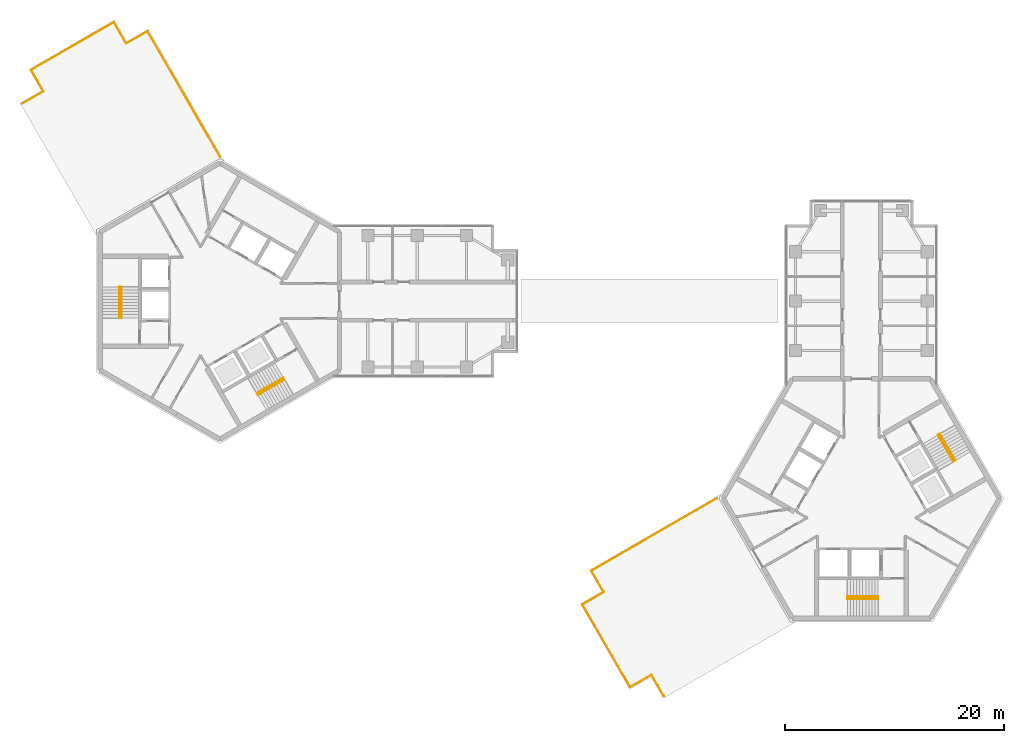
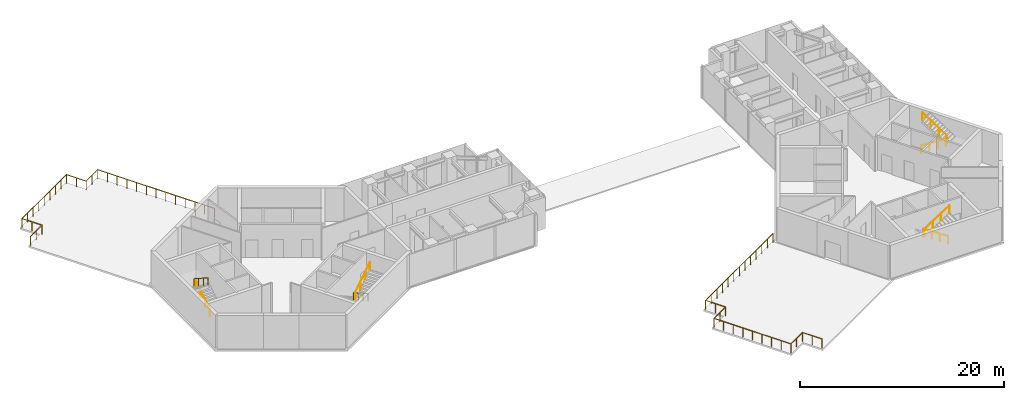
# One storey, part 10 of 11: 10 railings.
"""IFC4 building model written with IfcOpenShell, lengths in metres."""

from ifc_helpers import new_model, si_unit, direction, frame, origin, origin_2d, place, context, subcontext, project, spatial, circle, extrude, material, type_object, element, save


model = new_model("IFC4")

# Units and contexts
model_context = context("Model", 3, precision=1e-05, world=origin(), true_north=direction((0.0, 1.0)))
body_context = subcontext(model_context, "Body", "Model", "MODEL_VIEW")
ifc_project = project(units=[si_unit("LENGTHUNIT", "METRE"), si_unit("AREAUNIT", "SQUARE_METRE"), si_unit("VOLUMEUNIT", "CUBIC_METRE"), si_unit("PLANEANGLEUNIT", "RADIAN"), si_unit("MASSUNIT", "GRAM", prefix="KILO")], contexts=[model_context])

# Site, building, storey
site_placement = place(None, origin())
site = spatial("IfcSite", under=ifc_project, at=site_placement, CompositionType="ELEMENT")
building_placement = place(site_placement, origin())
building = spatial("IfcBuilding", under=site, at=building_placement, Name="Upepo Twin Towers", CompositionType="ELEMENT")
storey_placement = place(building_placement, frame((0.0, 0.0, 243.5)))
storey = spatial("IfcBuildingStorey", under=building, at=storey_placement, Name="L59", CompositionType="ELEMENT", Elevation=243.5)

# Railings
ifc_material_1 = material(Name="Stainless steel", Category="steel")
railing_type_1 = type_object("IfcRailingType", Name="Stair handrail 900", PredefinedType="HANDRAIL", material=ifc_material_1)
railing_1_placement = place(storey_placement, frame((-8.949951171875, -1.52001953125, 0.181884765625)))
element("IfcRailing", 1, at=railing_1_placement, inside=storey, type_object=railing_type_1, Name="T1 stair S1 L59 handrail 1", PredefinedType="HANDRAIL", context=body_context, shape_type="SweptSolid", body=[
    extrude(circle(Radius=0.02392578125, at=origin_2d()), frame((0.0, 0.0, 0.8759765625), z_axis=(0.0, 0.838705829183, 0.544584733623), x_axis=(-1.0, 0.0, 0.0)), (0.0, 0.0, 1.0), 3.338623046875),
    extrude(circle(Radius=0.02099609375, at=origin_2d()), origin(), (0.0, 0.0, 1.0), 0.851806640625),
    extrude(circle(Radius=0.02099609375, at=origin_2d()), frame((0.0, 0.933349609375, 0.60595703125)), (0.0, 0.0, 1.0), 0.851806640625),
    extrude(circle(Radius=0.02099609375, at=origin_2d()), frame((0.0, 1.86669921875, 1.212158203125)), (0.0, 0.0, 1.0), 0.851806640625),
    extrude(circle(Radius=0.02099609375, at=origin_2d()), frame((0.0, 2.800048828125, 1.818115234375)), (0.0, 0.0, 1.0), 0.851806640625),
])
railing_2_placement = place(storey_placement, frame((-9.158447265625, 1.280029296875, 2.181884765625)))
element("IfcRailing", 2, at=railing_2_placement, inside=storey, type_object=railing_type_1, Name="T1 stair S1 L59 handrail 2", PredefinedType="HANDRAIL", context=body_context, shape_type="SweptSolid", body=[
    extrude(circle(Radius=0.02392578125, at=origin_2d()), frame((0.0, 0.0, 0.8759765625), z_axis=(0.0, -0.838705829183, 0.544584733623), x_axis=(1.0, 0.0, 0.0)), (0.0, 0.0, 1.0), 3.338623046875),
    extrude(circle(Radius=0.02099609375, at=origin_2d()), origin(), (0.0, 0.0, 1.0), 0.851806640625),
    extrude(circle(Radius=0.02099609375, at=origin_2d()), frame((0.0, -0.933349609375, 0.60595703125)), (0.0, 0.0, 1.0), 0.851806640625),
    extrude(circle(Radius=0.02099609375, at=origin_2d()), frame((0.0, -1.86669921875, 1.212158203125)), (0.0, 0.0, 1.0), 0.851806640625),
    extrude(circle(Radius=0.02099609375, at=origin_2d()), frame((0.0, -2.800048828125, 1.818115234375)), (0.0, 0.0, 1.0), 0.851806640625),
])
railing_3_placement = place(storey_placement, frame((5.791259765625, -6.990966796875, 0.181884765625)))
element("IfcRailing", 3, at=railing_3_placement, inside=storey, type_object=railing_type_1, Name="T1 stair S2 L59 handrail 1", PredefinedType="HANDRAIL", context=body_context, shape_type="SweptSolid", body=[
    extrude(circle(Radius=0.02392578125, at=origin_2d()), frame((0.0, 0.0, 0.8759765625), z_axis=(-0.726336304947, -0.419332699614, 0.544605966869), x_axis=(0.49998411664, -0.866034573852, 0.0)), (0.0, 0.0, 1.0), 3.33837890625),
    extrude(circle(Radius=0.02099609375, at=origin_2d()), origin(), (0.0, 0.0, 1.0), 0.851806640625),
    extrude(circle(Radius=0.02099609375, at=origin_2d()), frame((-0.808349609375, -0.466552734375, 0.60595703125)), (0.0, 0.0, 1.0), 0.851806640625),
    extrude(circle(Radius=0.02099609375, at=origin_2d()), frame((-1.616455078125, -0.933349609375, 1.212158203125)), (0.0, 0.0, 1.0), 0.851806640625),
    extrude(circle(Radius=0.02099609375, at=origin_2d()), frame((-2.4248046875, -1.39990234375, 1.818115234375)), (0.0, 0.0, 1.0), 0.851806640625),
])
railing_4_placement = place(storey_placement, frame((3.470703125, -8.5712890625, 2.181884765625)))
element("IfcRailing", 4, at=railing_4_placement, inside=storey, type_object=railing_type_1, Name="T1 stair S2 L59 handrail 2", PredefinedType="HANDRAIL", context=body_context, shape_type="SweptSolid", body=[
    extrude(circle(Radius=0.02392578125, at=origin_2d()), frame((0.0, 0.0, 0.8759765625), z_axis=(0.726336304947, 0.419332699614, 0.544605966869), x_axis=(-0.49998411664, 0.866034573852, 0.0)), (0.0, 0.0, 1.0), 3.33837890625),
    extrude(circle(Radius=0.02099609375, at=origin_2d()), origin(), (0.0, 0.0, 1.0), 0.851806640625),
    extrude(circle(Radius=0.02099609375, at=origin_2d()), frame((0.808349609375, 0.466552734375, 0.60595703125)), (0.0, 0.0, 1.0), 0.851806640625),
    extrude(circle(Radius=0.02099609375, at=origin_2d()), frame((1.616455078125, 0.933349609375, 1.212158203125)), (0.0, 0.0, 1.0), 0.851806640625),
    extrude(circle(Radius=0.02099609375, at=origin_2d()), frame((2.4248046875, 1.39990234375, 1.818115234375)), (0.0, 0.0, 1.0), 0.851806640625),
])
railing_5_placement = place(storey_placement, frame((60.02001953125, -26.949951171875, 0.181884765625)))
element("IfcRailing", 5, at=railing_5_placement, inside=storey, type_object=railing_type_1, Name="T2 stair S1 L59 handrail 1", PredefinedType="HANDRAIL", context=body_context, shape_type="SweptSolid", body=[
    extrude(circle(Radius=0.02392578125, at=origin_2d()), frame((0.0, 0.0, 0.8759765625), z_axis=(-0.838705829183, 0.0, 0.544584733623), x_axis=(0.0, -1.0, 0.0)), (0.0, 0.0, 1.0), 3.338623046875),
    extrude(circle(Radius=0.02099609375, at=origin_2d()), origin(), (0.0, 0.0, 1.0), 0.851806640625),
    extrude(circle(Radius=0.02099609375, at=origin_2d()), frame((-0.933349609375, 0.0, 0.60595703125)), (0.0, 0.0, 1.0), 0.851806640625),
    extrude(circle(Radius=0.02099609375, at=origin_2d()), frame((-1.86669921875, 0.0, 1.212158203125)), (0.0, 0.0, 1.0), 0.851806640625),
    extrude(circle(Radius=0.02099609375, at=origin_2d()), frame((-2.800048828125, 0.0, 1.818115234375)), (0.0, 0.0, 1.0), 0.851806640625),
])
railing_6_placement = place(storey_placement, frame((57.219970703125, -27.158447265625, 2.181884765625)))
element("IfcRailing", 6, at=railing_6_placement, inside=storey, type_object=railing_type_1, Name="T2 stair S1 L59 handrail 2", PredefinedType="HANDRAIL", context=body_context, shape_type="SweptSolid", body=[
    extrude(circle(Radius=0.02392578125, at=origin_2d()), frame((0.0, 0.0, 0.8759765625), z_axis=(0.838705829183, 0.0, 0.544584733623), x_axis=(0.0, 1.0, 0.0)), (0.0, 0.0, 1.0), 3.338623046875),
    extrude(circle(Radius=0.02099609375, at=origin_2d()), origin(), (0.0, 0.0, 1.0), 0.851806640625),
    extrude(circle(Radius=0.02099609375, at=origin_2d()), frame((0.933349609375, 0.0, 0.60595703125)), (0.0, 0.0, 1.0), 0.851806640625),
    extrude(circle(Radius=0.02099609375, at=origin_2d()), frame((1.86669921875, 0.0, 1.212158203125)), (0.0, 0.0, 1.0), 0.851806640625),
    extrude(circle(Radius=0.02099609375, at=origin_2d()), frame((2.800048828125, 0.0, 1.818115234375)), (0.0, 0.0, 1.0), 0.851806640625),
])
railing_7_placement = place(storey_placement, frame((65.490966796875, -12.208740234375, 0.181884765625)))
element("IfcRailing", 7, at=railing_7_placement, inside=storey, type_object=railing_type_1, Name="T2 stair S2 L59 handrail 1", PredefinedType="HANDRAIL", context=body_context, shape_type="SweptSolid", body=[
    extrude(circle(Radius=0.02392578125, at=origin_2d()), frame((0.0, 0.0, 0.8759765625), z_axis=(0.419332699614, -0.726336304947, 0.544605966869), x_axis=(0.866034573852, 0.49998411664, 0.0)), (0.0, 0.0, 1.0), 3.33837890625),
    extrude(circle(Radius=0.02099609375, at=origin_2d()), origin(), (0.0, 0.0, 1.0), 0.851806640625),
    extrude(circle(Radius=0.02099609375, at=origin_2d()), frame((0.466552734375, -0.808349609375, 0.60595703125)), (0.0, 0.0, 1.0), 0.851806640625),
    extrude(circle(Radius=0.02099609375, at=origin_2d()), frame((0.933349609375, -1.616455078125, 1.212158203125)), (0.0, 0.0, 1.0), 0.851806640625),
    extrude(circle(Radius=0.02099609375, at=origin_2d()), frame((1.39990234375, -2.4248046875, 1.818115234375)), (0.0, 0.0, 1.0), 0.851806640625),
])
railing_8_placement = place(storey_placement, frame((67.0712890625, -14.529296875, 2.181884765625)))
element("IfcRailing", 8, at=railing_8_placement, inside=storey, type_object=railing_type_1, Name="T2 stair S2 L59 handrail 2", PredefinedType="HANDRAIL", context=body_context, shape_type="SweptSolid", body=[
    extrude(circle(Radius=0.02392578125, at=origin_2d()), frame((0.0, 0.0, 0.8759765625), z_axis=(-0.419332699614, 0.726336304947, 0.544605966869), x_axis=(-0.866034573852, -0.49998411664, 0.0)), (0.0, 0.0, 1.0), 3.33837890625),
    extrude(circle(Radius=0.02099609375, at=origin_2d()), origin(), (0.0, 0.0, 1.0), 0.851806640625),
    extrude(circle(Radius=0.02099609375, at=origin_2d()), frame((-0.466552734375, 0.808349609375, 0.60595703125)), (0.0, 0.0, 1.0), 0.851806640625),
    extrude(circle(Radius=0.02099609375, at=origin_2d()), frame((-0.933349609375, 1.616455078125, 1.212158203125)), (0.0, 0.0, 1.0), 0.851806640625),
    extrude(circle(Radius=0.02099609375, at=origin_2d()), frame((-1.39990234375, 2.4248046875, 1.818115234375)), (0.0, 0.0, 1.0), 0.851806640625),
])
ifc_material_2 = material(Name="Stainless steel and laminated glass", Category="steel")
railing_type_2 = type_object("IfcRailingType", Name="Terrace guard 1100 glass", PredefinedType="GUARDRAIL", material=ifc_material_2)
railing_9_placement = place(storey_placement, frame((-18.015869140625, 18.004150390625, 0.0)))
element("IfcRailing", 9, at=railing_9_placement, inside=storey, type_object=railing_type_2, Name="T1 L59 sky terrace guard", PredefinedType="GUARDRAIL", context=body_context, shape_type="SweptSolid", body=[
    extrude(circle(Radius=0.02392578125, at=origin_2d()), frame((0.0, 0.0, 1.076171875), z_axis=(0.866044658551, 0.499966648284, 0.0), x_axis=(-0.499966648284, 0.866044658551, 0.0)), (0.0, 0.0, 1.0), 2.250244140625),
    extrude(circle(Radius=0.02392578125, at=origin_2d()), frame((1.94873046875, 1.125, 1.076171875), z_axis=(-0.499966648284, 0.866044658551, 0.0), x_axis=(-0.866044658551, -0.499966648284, 0.0)), (0.0, 0.0, 1.0), 2.250244140625),
    extrude(circle(Radius=0.02392578125, at=origin_2d()), frame((0.82373046875, 3.07373046875, 1.076171875), z_axis=(0.866032775405, 0.499987231761, 0.0), x_axis=(-0.499987231761, 0.866032775405, 0.0)), (0.0, 0.0, 1.0), 8.699951171875),
    extrude(circle(Radius=0.02392578125, at=origin_2d()), frame((8.358154296875, 7.423583984375, 1.076171875), z_axis=(0.500013631625, -0.866017533419, 0.0), x_axis=(0.866017533419, 0.500013631625, 0.0)), (0.0, 0.0, 1.0), 2.25),
    extrude(circle(Radius=0.02392578125, at=origin_2d()), frame((9.483154296875, 5.47509765625, 1.076171875), z_axis=(0.866017533419, 0.500013631625, 0.0), x_axis=(-0.500013631625, 0.866017533419, 0.0)), (0.0, 0.0, 1.0), 2.25),
    extrude(circle(Radius=0.02392578125, at=origin_2d()), frame((11.431640625, 6.60009765625, 1.076171875), z_axis=(0.500001784407, -0.866024373554, 0.0), x_axis=(0.866024373554, 0.500001784407, 0.0)), (0.0, 0.0, 1.0), 13.21484375),
    extrude(circle(Radius=0.02099609375, at=origin_2d()), origin(), (0.0, 0.0, 1.0), 1.052001953125),
    extrude(circle(Radius=0.02099609375, at=origin_2d()), frame((0.974365234375, 0.5625, 0.0)), (0.0, 0.0, 1.0), 1.052001953125),
    extrude(circle(Radius=0.02099609375, at=origin_2d()), frame((1.94873046875, 1.125, 0.0)), (0.0, 0.0, 1.0), 1.052001953125),
    extrude(circle(Radius=0.02099609375, at=origin_2d()), frame((1.38623046875, 2.099365234375, 0.0)), (0.0, 0.0, 1.0), 1.052001953125),
    extrude(circle(Radius=0.02099609375, at=origin_2d()), frame((0.82373046875, 3.07373046875, 0.0)), (0.0, 0.0, 1.0), 1.052001953125),
    extrude(circle(Radius=0.02099609375, at=origin_2d()), frame((1.765625, 3.617431640625, 0.0)), (0.0, 0.0, 1.0), 1.052001953125),
    extrude(circle(Radius=0.02099609375, at=origin_2d()), frame((2.707275390625, 4.1611328125, 0.0)), (0.0, 0.0, 1.0), 1.052001953125),
    extrude(circle(Radius=0.02099609375, at=origin_2d()), frame((3.649169921875, 4.704833984375, 0.0)), (0.0, 0.0, 1.0), 1.052001953125),
    extrude(circle(Radius=0.02099609375, at=origin_2d()), frame((4.5908203125, 5.24853515625, 0.0)), (0.0, 0.0, 1.0), 1.052001953125),
    extrude(circle(Radius=0.02099609375, at=origin_2d()), frame((5.53271484375, 5.79248046875, 0.0)), (0.0, 0.0, 1.0), 1.052001953125),
    extrude(circle(Radius=0.02099609375, at=origin_2d()), frame((6.474609375, 6.336181640625, 0.0)), (0.0, 0.0, 1.0), 1.052001953125),
    extrude(circle(Radius=0.02099609375, at=origin_2d()), frame((7.416259765625, 6.8798828125, 0.0)), (0.0, 0.0, 1.0), 1.052001953125),
    extrude(circle(Radius=0.02099609375, at=origin_2d()), frame((8.358154296875, 7.423583984375, 0.0)), (0.0, 0.0, 1.0), 1.052001953125),
    extrude(circle(Radius=0.02099609375, at=origin_2d()), frame((8.920654296875, 6.44921875, 0.0)), (0.0, 0.0, 1.0), 1.052001953125),
    extrude(circle(Radius=0.02099609375, at=origin_2d()), frame((9.483154296875, 5.47509765625, 0.0)), (0.0, 0.0, 1.0), 1.052001953125),
    extrude(circle(Radius=0.02099609375, at=origin_2d()), frame((10.45751953125, 6.03759765625, 0.0)), (0.0, 0.0, 1.0), 1.052001953125),
    extrude(circle(Radius=0.02099609375, at=origin_2d()), frame((11.431640625, 6.60009765625, 0.0)), (0.0, 0.0, 1.0), 1.052001953125),
    extrude(circle(Radius=0.02099609375, at=origin_2d()), frame((11.982177734375, 5.646484375, 0.0)), (0.0, 0.0, 1.0), 1.052001953125),
    extrude(circle(Radius=0.02099609375, at=origin_2d()), frame((12.532958984375, 4.692626953125, 0.0)), (0.0, 0.0, 1.0), 1.052001953125),
    extrude(circle(Radius=0.02099609375, at=origin_2d()), frame((13.08349609375, 3.739013671875, 0.0)), (0.0, 0.0, 1.0), 1.052001953125),
    extrude(circle(Radius=0.02099609375, at=origin_2d()), frame((13.634033203125, 2.785400390625, 0.0)), (0.0, 0.0, 1.0), 1.052001953125),
    extrude(circle(Radius=0.02099609375, at=origin_2d()), frame((14.184814453125, 1.83154296875, 0.0)), (0.0, 0.0, 1.0), 1.052001953125),
    extrude(circle(Radius=0.02099609375, at=origin_2d()), frame((14.7353515625, 0.8779296875, 0.0)), (0.0, 0.0, 1.0), 1.052001953125),
    extrude(circle(Radius=0.02099609375, at=origin_2d()), frame((15.285888671875, -0.07568359375, 0.0)), (0.0, 0.0, 1.0), 1.052001953125),
    extrude(circle(Radius=0.02099609375, at=origin_2d()), frame((15.836669921875, -1.029541015625, 0.0)), (0.0, 0.0, 1.0), 1.052001953125),
    extrude(circle(Radius=0.02099609375, at=origin_2d()), frame((16.38720703125, -1.983154296875, 0.0)), (0.0, 0.0, 1.0), 1.052001953125),
    extrude(circle(Radius=0.02099609375, at=origin_2d()), frame((16.937744140625, -2.936767578125, 0.0)), (0.0, 0.0, 1.0), 1.052001953125),
    extrude(circle(Radius=0.02099609375, at=origin_2d()), frame((17.488525390625, -3.890625, 0.0)), (0.0, 0.0, 1.0), 1.052001953125),
    extrude(circle(Radius=0.02099609375, at=origin_2d()), frame((18.0390625, -4.84423828125, 0.0)), (0.0, 0.0, 1.0), 1.052001953125),
])
railing_10_placement = place(storey_placement, frame((40.495849609375, -36.015869140625, 0.0)))
element("IfcRailing", 10, at=railing_10_placement, inside=storey, type_object=railing_type_2, Name="T2 L59 sky terrace guard", PredefinedType="GUARDRAIL", context=body_context, shape_type="SweptSolid", body=[
    extrude(circle(Radius=0.02392578125, at=origin_2d()), frame((0.0, 0.0, 1.076171875), z_axis=(-0.499966648284, 0.866044658551, 0.0), x_axis=(-0.866044658551, -0.499966648284, 0.0)), (0.0, 0.0, 1.0), 2.250244140625),
    extrude(circle(Radius=0.02392578125, at=origin_2d()), frame((-1.125, 1.94873046875, 1.076171875), z_axis=(-0.866044658551, -0.499966648284, 0.0), x_axis=(0.499966648284, -0.866044658551, 0.0)), (0.0, 0.0, 1.0), 2.250244140625),
    extrude(circle(Radius=0.02392578125, at=origin_2d()), frame((-3.07373046875, 0.82373046875, 1.076171875), z_axis=(-0.499987231761, 0.866032775405, 0.0), x_axis=(-0.866032775405, -0.499987231761, 0.0)), (0.0, 0.0, 1.0), 8.699951171875),
    extrude(circle(Radius=0.02392578125, at=origin_2d()), frame((-7.423583984375, 8.358154296875, 1.076171875), z_axis=(0.866017533419, 0.500013631625, 0.0), x_axis=(-0.500013631625, 0.866017533419, 0.0)), (0.0, 0.0, 1.0), 2.25),
    extrude(circle(Radius=0.02392578125, at=origin_2d()), frame((-5.47509765625, 9.483154296875, 1.076171875), z_axis=(-0.500013631625, 0.866017533419, 0.0), x_axis=(-0.866017533419, -0.500013631625, 0.0)), (0.0, 0.0, 1.0), 2.25),
    extrude(circle(Radius=0.02392578125, at=origin_2d()), frame((-6.60009765625, 11.431640625, 1.076171875), z_axis=(0.866024373554, 0.500001784407, 0.0), x_axis=(-0.500001784407, 0.866024373554, 0.0)), (0.0, 0.0, 1.0), 13.21484375),
    extrude(circle(Radius=0.02099609375, at=origin_2d()), origin(), (0.0, 0.0, 1.0), 1.052001953125),
    extrude(circle(Radius=0.02099609375, at=origin_2d()), frame((-0.5625, 0.974365234375, 0.0)), (0.0, 0.0, 1.0), 1.052001953125),
    extrude(circle(Radius=0.02099609375, at=origin_2d()), frame((-1.125, 1.94873046875, 0.0)), (0.0, 0.0, 1.0), 1.052001953125),
    extrude(circle(Radius=0.02099609375, at=origin_2d()), frame((-2.099365234375, 1.38623046875, 0.0)), (0.0, 0.0, 1.0), 1.052001953125),
    extrude(circle(Radius=0.02099609375, at=origin_2d()), frame((-3.07373046875, 0.82373046875, 0.0)), (0.0, 0.0, 1.0), 1.052001953125),
    extrude(circle(Radius=0.02099609375, at=origin_2d()), frame((-3.617431640625, 1.765625, 0.0)), (0.0, 0.0, 1.0), 1.052001953125),
    extrude(circle(Radius=0.02099609375, at=origin_2d()), frame((-4.1611328125, 2.707275390625, 0.0)), (0.0, 0.0, 1.0), 1.052001953125),
    extrude(circle(Radius=0.02099609375, at=origin_2d()), frame((-4.704833984375, 3.649169921875, 0.0)), (0.0, 0.0, 1.0), 1.052001953125),
    extrude(circle(Radius=0.02099609375, at=origin_2d()), frame((-5.24853515625, 4.5908203125, 0.0)), (0.0, 0.0, 1.0), 1.052001953125),
    extrude(circle(Radius=0.02099609375, at=origin_2d()), frame((-5.79248046875, 5.53271484375, 0.0)), (0.0, 0.0, 1.0), 1.052001953125),
    extrude(circle(Radius=0.02099609375, at=origin_2d()), frame((-6.336181640625, 6.474609375, 0.0)), (0.0, 0.0, 1.0), 1.052001953125),
    extrude(circle(Radius=0.02099609375, at=origin_2d()), frame((-6.8798828125, 7.416259765625, 0.0)), (0.0, 0.0, 1.0), 1.052001953125),
    extrude(circle(Radius=0.02099609375, at=origin_2d()), frame((-7.423583984375, 8.358154296875, 0.0)), (0.0, 0.0, 1.0), 1.052001953125),
    extrude(circle(Radius=0.02099609375, at=origin_2d()), frame((-6.44921875, 8.920654296875, 0.0)), (0.0, 0.0, 1.0), 1.052001953125),
    extrude(circle(Radius=0.02099609375, at=origin_2d()), frame((-5.47509765625, 9.483154296875, 0.0)), (0.0, 0.0, 1.0), 1.052001953125),
    extrude(circle(Radius=0.02099609375, at=origin_2d()), frame((-6.03759765625, 10.45751953125, 0.0)), (0.0, 0.0, 1.0), 1.052001953125),
    extrude(circle(Radius=0.02099609375, at=origin_2d()), frame((-6.60009765625, 11.431640625, 0.0)), (0.0, 0.0, 1.0), 1.052001953125),
    extrude(circle(Radius=0.02099609375, at=origin_2d()), frame((-5.646484375, 11.982177734375, 0.0)), (0.0, 0.0, 1.0), 1.052001953125),
    extrude(circle(Radius=0.02099609375, at=origin_2d()), frame((-4.692626953125, 12.532958984375, 0.0)), (0.0, 0.0, 1.0), 1.052001953125),
    extrude(circle(Radius=0.02099609375, at=origin_2d()), frame((-3.739013671875, 13.08349609375, 0.0)), (0.0, 0.0, 1.0), 1.052001953125),
    extrude(circle(Radius=0.02099609375, at=origin_2d()), frame((-2.785400390625, 13.634033203125, 0.0)), (0.0, 0.0, 1.0), 1.052001953125),
    extrude(circle(Radius=0.02099609375, at=origin_2d()), frame((-1.83154296875, 14.184814453125, 0.0)), (0.0, 0.0, 1.0), 1.052001953125),
    extrude(circle(Radius=0.02099609375, at=origin_2d()), frame((-0.8779296875, 14.7353515625, 0.0)), (0.0, 0.0, 1.0), 1.052001953125),
    extrude(circle(Radius=0.02099609375, at=origin_2d()), frame((0.07568359375, 15.285888671875, 0.0)), (0.0, 0.0, 1.0), 1.052001953125),
    extrude(circle(Radius=0.02099609375, at=origin_2d()), frame((1.029541015625, 15.836669921875, 0.0)), (0.0, 0.0, 1.0), 1.052001953125),
    extrude(circle(Radius=0.02099609375, at=origin_2d()), frame((1.983154296875, 16.38720703125, 0.0)), (0.0, 0.0, 1.0), 1.052001953125),
    extrude(circle(Radius=0.02099609375, at=origin_2d()), frame((2.936767578125, 16.937744140625, 0.0)), (0.0, 0.0, 1.0), 1.052001953125),
    extrude(circle(Radius=0.02099609375, at=origin_2d()), frame((3.890625, 17.488525390625, 0.0)), (0.0, 0.0, 1.0), 1.052001953125),
    extrude(circle(Radius=0.02099609375, at=origin_2d()), frame((4.84423828125, 18.0390625, 0.0)), (0.0, 0.0, 1.0), 1.052001953125),
])

save(model, "model.ifc")
